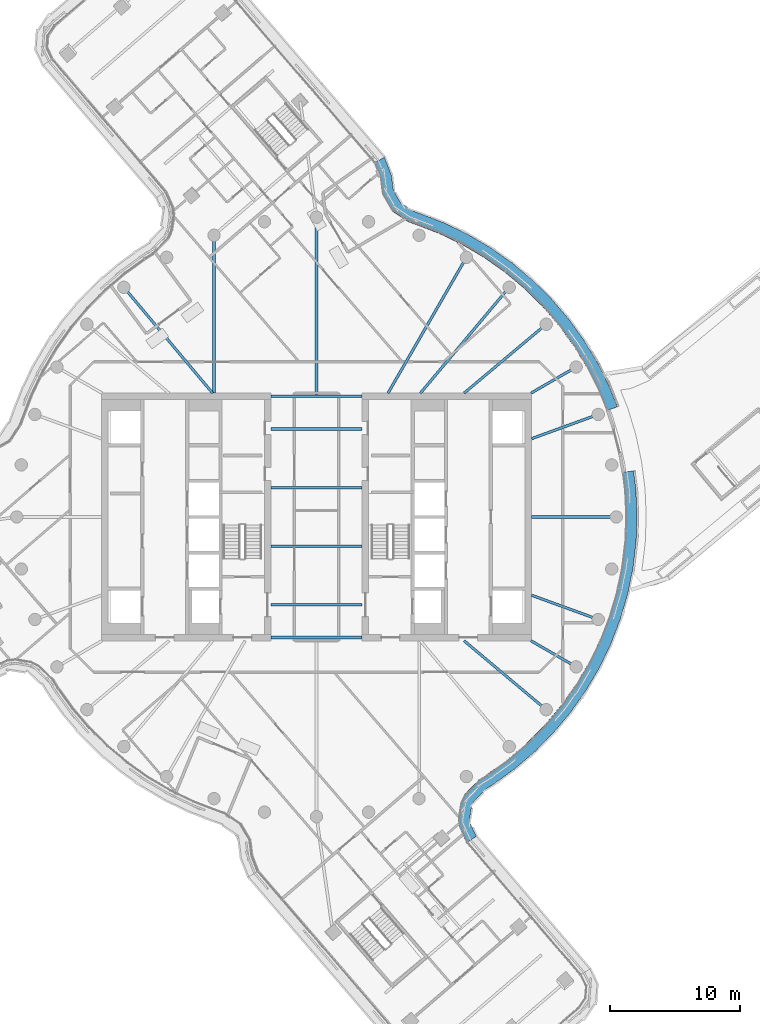
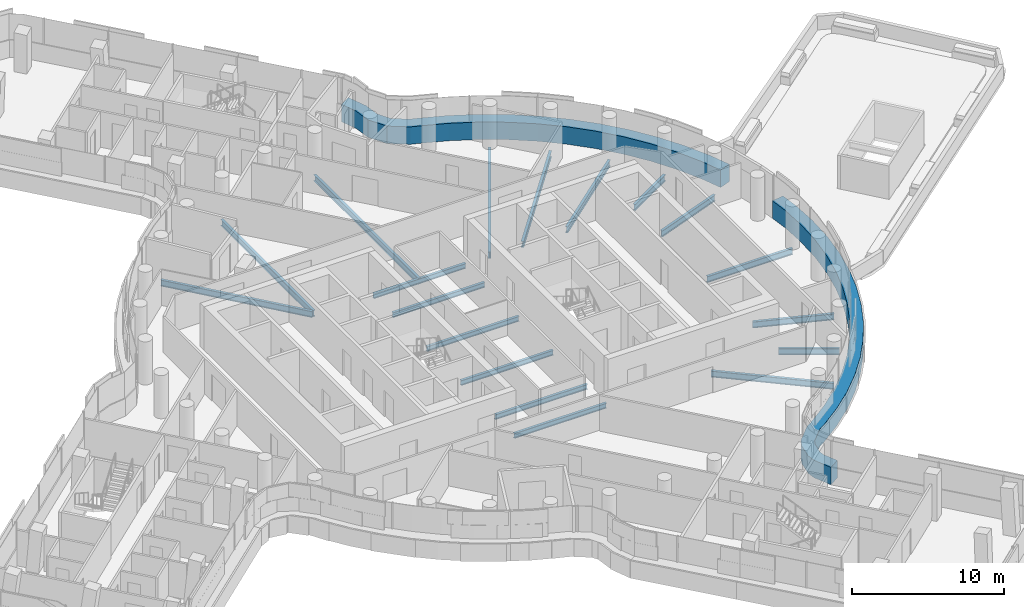
# One storey, part 11 of 34: 18 beams, 2 members, 1 element without a shape of its own.
"""IFC4 building model written with IfcOpenShell, lengths in metres."""

from ifc_helpers import new_model, si_unit, direction, frame, origin, origin_2d, place, context, subcontext, project, spatial, polyline, i_section, outline, extrude, material, layer, layer_set, material_profile, profile_set, type_object, element, aggregate, save


model = new_model("IFC4")

# Units and contexts
model_context = context("Model", 3, precision=1e-05, world=origin(), true_north=direction((0.0, 1.0)))
body_context = subcontext(model_context, "Body", "Model", "MODEL_VIEW")
ifc_project = project(units=[si_unit("LENGTHUNIT", "METRE"), si_unit("AREAUNIT", "SQUARE_METRE"), si_unit("VOLUMEUNIT", "CUBIC_METRE"), si_unit("PLANEANGLEUNIT", "RADIAN"), si_unit("MASSUNIT", "GRAM", prefix="KILO")], contexts=[model_context])

# Site, building, storey
site_placement = place(None, origin())
site = spatial("IfcSite", under=ifc_project, at=site_placement, CompositionType="ELEMENT")
building_placement = place(site_placement, origin())
building = spatial("IfcBuilding", under=site, at=building_placement, Name="Tamarind Cross Interchange Tower", CompositionType="ELEMENT")
storey_placement = place(building_placement, frame((0.0, 0.0, 182.5)))
storey = spatial("IfcBuildingStorey", under=building, at=storey_placement, Name="L45", CompositionType="ELEMENT", Elevation=182.5)

# Beams
ifc_material_1 = material(Name="Steel Q355B", Category="steel")
ifc_material_profile_1 = material_profile(ifc_material_1, i_section(OverallWidth=0.199951171875, OverallDepth=0.39990234375, WebThickness=0.008056640625, FlangeThickness=0.012939453125, FilletRadius=0.01611328125, at=origin_2d()), Name="HN 400x200x8x13")
ifc_profile_set_1 = profile_set([ifc_material_profile_1], Name="Steel Q355B")
beam_type_1 = type_object("IfcBeamType", Name="Composite beam HN 400x200x8x13 Q355B", PredefinedType="BEAM", material=ifc_profile_set_1)
for number, where, z_axis, x_axis, name in (
    (1, (-3.5, -2.25, -0.340087890625), (1.0, 0.0, 0.0), (0.0, 1.0, 0.0), "Beam G-2.25"),
    (2, (-3.5, -6.75, -0.340087890625), (1.0, 0.0, 0.0), (0.0, 1.0, 0.0), "Beam G-6.75"),
    (3, (-3.5, -9.25, -0.340087890625), (1.0, 0.0, 0.0), (0.0, 1.0, 0.0), "Beam G-9.25"),
    (4, (-3.5, 2.25, -0.340087890625), (1.0, 0.0, 0.0), (0.0, 1.0, 0.0), "Beam G2.25"),
    (5, (-3.5, 6.75, -0.340087890625), (1.0, 0.0, 0.0), (0.0, 1.0, 0.0), "Beam G6.75"),
    (6, (-3.5, 9.25, -0.340087890625), (1.0, 0.0, 0.0), (0.0, 1.0, 0.0), "Beam G9.25"),
):
    element("IfcBeam", number, at=place(storey_placement, frame(where, z_axis=z_axis, x_axis=x_axis)), inside=storey, type_object=beam_type_1, Name=name, PredefinedType="BEAM", context=body_context, shape_type="SweptSolid", body=[
        extrude(i_section(OverallWidth=0.199951171875, OverallDepth=0.39990234375, WebThickness=0.008056640625, FlangeThickness=0.012939453125, FilletRadius=0.01611328125, at=origin_2d()), origin(), (0.0, 0.0, 1.0), 7.0),
    ])
ifc_material_profile_2 = material_profile(ifc_material_1, i_section(OverallWidth=0.198974609375, OverallDepth=0.49609375, WebThickness=0.009033203125, FlangeThickness=0.013916015625, FilletRadius=0.012939453125, at=origin_2d()), Name="HN 496x199x9x14")
ifc_profile_set_2 = profile_set([ifc_material_profile_2], Name="Steel Q355B")
beam_type_2 = type_object("IfcBeamType", Name="Composite beam HN 496x199x9x14 Q355B", PredefinedType="BEAM", material=ifc_profile_set_2)
beam_1_placement = place(storey_placement, frame((23.0, 0.0, -0.387939453125), z_axis=(-1.0, 0.0, 0.0), x_axis=(0.0, -1.0, 0.0)))
element("IfcBeam", 7, at=beam_1_placement, inside=storey, type_object=beam_type_2, Name="Beam HH00", PredefinedType="BEAM", context=body_context, shape_type="SweptSolid", body=[
    extrude(i_section(OverallWidth=0.198974609375, OverallDepth=0.49609375, WebThickness=0.009033203125, FlangeThickness=0.013916015625, FilletRadius=0.012939453125, at=origin_2d()), origin(), (0.0, 0.0, 1.0), 6.5),
])
beam_2_placement = place(storey_placement, frame((21.613037109375, 7.866455078125, -0.387939453125), z_axis=(-0.939701685589, -0.341995236956, 0.0), x_axis=(0.341995236956, -0.939701685589, 0.0)))
element("IfcBeam", 8, at=beam_2_placement, inside=storey, type_object=beam_type_2, Name="Beam HH02", PredefinedType="BEAM", context=body_context, shape_type="SweptSolid", body=[
    extrude(i_section(OverallWidth=0.198974609375, OverallDepth=0.49609375, WebThickness=0.009033203125, FlangeThickness=0.013916015625, FilletRadius=0.012939453125, at=origin_2d()), origin(), (0.0, 0.0, 1.0), 5.441162109375),
])
beam_3_placement = place(storey_placement, frame((19.918701171875, 11.5, -0.387939453125), z_axis=(-0.866026010844, -0.49999894854, 0.0), x_axis=(0.49999894854, -0.866026010844, 0.0)))
element("IfcBeam", 9, at=beam_3_placement, inside=storey, type_object=beam_type_2, Name="Beam HH03", PredefinedType="BEAM", context=body_context, shape_type="SweptSolid", body=[
    extrude(i_section(OverallWidth=0.198974609375, OverallDepth=0.49609375, WebThickness=0.009033203125, FlangeThickness=0.013916015625, FilletRadius=0.012939453125, at=origin_2d()), origin(), (0.0, 0.0, 1.0), 4.0),
])
beam_4_placement = place(storey_placement, frame((17.619140625, 14.7841796875, -0.387939453125), z_axis=(-0.766040580814, -0.642792212574, 0.0), x_axis=(0.642792212574, -0.766040580814, 0.0)))
element("IfcBeam", 10, at=beam_4_placement, inside=storey, type_object=beam_type_2, Name="Beam HH04", PredefinedType="BEAM", context=body_context, shape_type="SweptSolid", body=[
    extrude(i_section(OverallWidth=0.198974609375, OverallDepth=0.49609375, WebThickness=0.009033203125, FlangeThickness=0.013916015625, FilletRadius=0.012939453125, at=origin_2d()), origin(), (0.0, 0.0, 1.0), 8.220703125),
])
beam_5_placement = place(storey_placement, frame((14.7841796875, 17.619140625, -0.387939453125), z_axis=(-0.642786293979, -0.766045547127, 0.0), x_axis=(0.766045547127, -0.642786293979, 0.0)))
element("IfcBeam", 11, at=beam_5_placement, inside=storey, type_object=beam_type_2, Name="Beam HH05", PredefinedType="BEAM", context=body_context, shape_type="SweptSolid", body=[
    extrude(i_section(OverallWidth=0.198974609375, OverallDepth=0.49609375, WebThickness=0.009033203125, FlangeThickness=0.013916015625, FilletRadius=0.012939453125, at=origin_2d()), origin(), (0.0, 0.0, 1.0), 10.598876953125),
])
beam_6_placement = place(storey_placement, frame((11.5, 19.918701171875, -0.387939453125), z_axis=(-0.499993565836, -0.866029118519, 0.0), x_axis=(0.866029118519, -0.499993565836, 0.0)))
element("IfcBeam", 12, at=beam_6_placement, inside=storey, type_object=beam_type_2, Name="Beam HH06", PredefinedType="BEAM", context=body_context, shape_type="SweptSolid", body=[
    extrude(i_section(OverallWidth=0.198974609375, OverallDepth=0.49609375, WebThickness=0.009033203125, FlangeThickness=0.013916015625, FilletRadius=0.012939453125, at=origin_2d()), origin(), (0.0, 0.0, 1.0), 12.030517578125),
])
beam_7_placement = place(storey_placement, frame((0.0, 23.0, -0.387939453125), z_axis=(0.0, -1.0, 0.0), x_axis=(1.0, 0.0, 0.0)))
element("IfcBeam", 13, at=beam_7_placement, inside=storey, type_object=beam_type_2, Name="Beam HH09", PredefinedType="BEAM", context=body_context, shape_type="SweptSolid", body=[
    extrude(i_section(OverallWidth=0.198974609375, OverallDepth=0.49609375, WebThickness=0.009033203125, FlangeThickness=0.013916015625, FilletRadius=0.012939453125, at=origin_2d()), origin(), (0.0, 0.0, 1.0), 13.75),
])
beam_8_placement = place(storey_placement, frame((-7.866455078125, 21.613037109375, -0.387939453125), z_axis=(0.0, -1.0, 0.0), x_axis=(1.0, 0.0, 0.0)))
element("IfcBeam", 14, at=beam_8_placement, inside=storey, type_object=beam_type_2, Name="Beam HH11", PredefinedType="BEAM", context=body_context, shape_type="SweptSolid", body=[
    extrude(i_section(OverallWidth=0.198974609375, OverallDepth=0.49609375, WebThickness=0.009033203125, FlangeThickness=0.013916015625, FilletRadius=0.012939453125, at=origin_2d()), origin(), (0.0, 0.0, 1.0), 12.113037109375),
])
beam_9_placement = place(storey_placement, frame((-14.7841796875, 17.619140625, -0.387939453125), z_axis=(0.642786293979, -0.766045547127, 0.0), x_axis=(0.766045547127, 0.642786293979, 0.0)))
element("IfcBeam", 15, at=beam_9_placement, inside=storey, type_object=beam_type_2, Name="Beam HH13", PredefinedType="BEAM", context=body_context, shape_type="SweptSolid", body=[
    extrude(i_section(OverallWidth=0.198974609375, OverallDepth=0.49609375, WebThickness=0.009033203125, FlangeThickness=0.013916015625, FilletRadius=0.012939453125, at=origin_2d()), origin(), (0.0, 0.0, 1.0), 10.598876953125),
])
beam_10_placement = place(storey_placement, frame((17.619140625, -14.7841796875, -0.387939453125), z_axis=(-0.766040580814, 0.642792212574, 0.0), x_axis=(-0.642792212574, -0.766040580814, 0.0)))
element("IfcBeam", 16, at=beam_10_placement, inside=storey, type_object=beam_type_2, Name="Beam HH32", PredefinedType="BEAM", context=body_context, shape_type="SweptSolid", body=[
    extrude(i_section(OverallWidth=0.198974609375, OverallDepth=0.49609375, WebThickness=0.009033203125, FlangeThickness=0.013916015625, FilletRadius=0.012939453125, at=origin_2d()), origin(), (0.0, 0.0, 1.0), 8.220703125),
])
beam_11_placement = place(storey_placement, frame((19.918701171875, -11.5, -0.387939453125), z_axis=(-0.866026010844, 0.49999894854, 0.0), x_axis=(-0.49999894854, -0.866026010844, 0.0)))
element("IfcBeam", 17, at=beam_11_placement, inside=storey, type_object=beam_type_2, Name="Beam HH33", PredefinedType="BEAM", context=body_context, shape_type="SweptSolid", body=[
    extrude(i_section(OverallWidth=0.198974609375, OverallDepth=0.49609375, WebThickness=0.009033203125, FlangeThickness=0.013916015625, FilletRadius=0.012939453125, at=origin_2d()), origin(), (0.0, 0.0, 1.0), 4.0),
])
beam_12_placement = place(storey_placement, frame((21.613037109375, -7.866455078125, -0.387939453125), z_axis=(-0.939701685589, 0.341995236956, 0.0), x_axis=(-0.341995236956, -0.939701685589, 0.0)))
element("IfcBeam", 18, at=beam_12_placement, inside=storey, type_object=beam_type_2, Name="Beam HH34", PredefinedType="BEAM", context=body_context, shape_type="SweptSolid", body=[
    extrude(i_section(OverallWidth=0.198974609375, OverallDepth=0.49609375, WebThickness=0.009033203125, FlangeThickness=0.013916015625, FilletRadius=0.012939453125, at=origin_2d()), origin(), (0.0, 0.0, 1.0), 5.441162109375),
])

# Curtain wall, members
ifc_material_2 = material(Name="Aluminium 6063-T6", Category="aluminium")
ifc_layer = layer(ifc_material_2, 0.14990234375)
ifc_layer_set = layer_set([ifc_layer], Name="Aluminium 6063-T6")
curtain_wall_type = type_object("IfcCurtainWallType", Name="Winter garden and crown curtain wall", PredefinedType="NOTDEFINED", material=ifc_layer_set)
curtain_wall_placement = place(storey_placement, origin())
curtain_wall = element("IfcCurtainWall", 19, at=curtain_wall_placement, inside=storey, type_object=curtain_wall_type, Name="CWS-L45-10", PredefinedType="NOTDEFINED")
ifc_material_3 = material(Name="Aluminium and insulated spandrel panel", Category="aluminium")
member_type = type_object("IfcMemberType", Name="Floor-edge blade transom", PredefinedType="USERDEFINED", material=ifc_material_3)
member_1_placement = place(storey_placement, origin())
member_1 = element("IfcMember", 20, at=member_1_placement, type_object=member_type, Name="CWT-L45-10-0", ObjectType="TRANSOM", PredefinedType="USERDEFINED", context=body_context, shape_type="SweptSolid", body=[
    extrude(outline(polyline([(11.488525390625, -25.00537109375), (10.9296875, -23.755615234375), (10.845703125, -23.112060546875), (11.0419921875, -21.90576171875), (11.3271484375, -21.318115234375), (12.47705078125, -20.130615234375), (13.04443359375, -19.781982421875), (14.634521484375, -18.636474609375), (16.12353515625, -17.3642578125), (17.50244140625, -15.973388671875), (18.76171875, -14.4736328125), (19.892822265625, -12.874755859375), (20.88818359375, -11.188232421875), (21.74072265625, -9.425048828125), (22.444580078125, -7.597412109375), (22.995361328125, -5.718017578125), (23.38916015625, -3.799560546875), (23.623046875, -1.855224609375), (23.695556640625, 0.10205078125), (23.606201171875, 2.058349609375), (23.43212890625, 3.406982421875), (24.32275390625, 3.53662109375), (24.50341796875, 2.13671875), (24.59619140625, 0.10595703125), (24.52099609375, -1.925537109375), (24.2783203125, -3.944091796875), (23.86962890625, -5.935302734375), (23.2978515625, -7.88623046875), (22.567138671875, -9.783203125), (21.68212890625, -11.613525390625), (20.64892578125, -13.3642578125), (19.474853515625, -15.023681640625), (18.167724609375, -16.580810546875), (16.736572265625, -18.0244140625), (15.19091796875, -19.344970703125), (13.543701171875, -20.53173828125), (13.044677734375, -20.838134765625), (12.07373046875, -21.8408203125), (11.9091796875, -22.18017578125), (11.75537109375, -23.12646484375), (11.80517578125, -23.508544921875), (12.2568359375, -24.51904296875), (11.488525390625, -25.00537109375)])), origin(), (0.0, 0.0, 1.0), 1.39990234375),
])
member_2_placement = place(storey_placement, origin())
member_2 = element("IfcMember", 21, at=member_2_placement, type_object=member_type, Name="CWT-L45-10-1", ObjectType="TRANSOM", PredefinedType="USERDEFINED", context=body_context, shape_type="SweptSolid", body=[
    extrude(outline(polyline([(22.23974609375, 8.1416015625), (21.65869140625, 9.61181640625), (20.791015625, 11.367431640625), (19.78125, 13.045654296875), (18.636474609375, 14.634521484375), (17.3642578125, 16.12353515625), (15.973388671875, 17.50244140625), (14.4736328125, 18.76171875), (12.874755859375, 19.892822265625), (11.188232421875, 20.88818359375), (9.425048828125, 21.74072265625), (7.590087890625, 22.447509765625), (7.057373046875, 22.63427734375), (5.76806640625, 23.48681640625), (5.03369140625, 24.743408203125), (4.869873046875, 25.989501953125), (4.418701171875, 27.135986328125), (5.2001953125, 27.607666015625), (5.747802734375, 26.21630859375), (5.90234375, 25.040771484375), (6.439208984375, 24.121826171875), (7.46044921875, 23.446533203125), (7.90087890625, 23.292236328125), (9.783203125, 22.567138671875), (11.613525390625, 21.68212890625), (13.3642578125, 20.64892578125), (15.023681640625, 19.474853515625), (16.580810546875, 18.167724609375), (18.0244140625, 16.736572265625), (19.344970703125, 15.19091796875), (20.533203125, 13.54150390625), (21.581298828125, 11.799560546875), (22.482177734375, 9.97705078125), (23.085205078125, 8.450927734375), (22.23974609375, 8.1416015625)])), origin(), (0.0, 0.0, 1.0), 1.39990234375),
])
aggregate(curtain_wall, [member_1, member_2])

save(model, "model.ifc")
